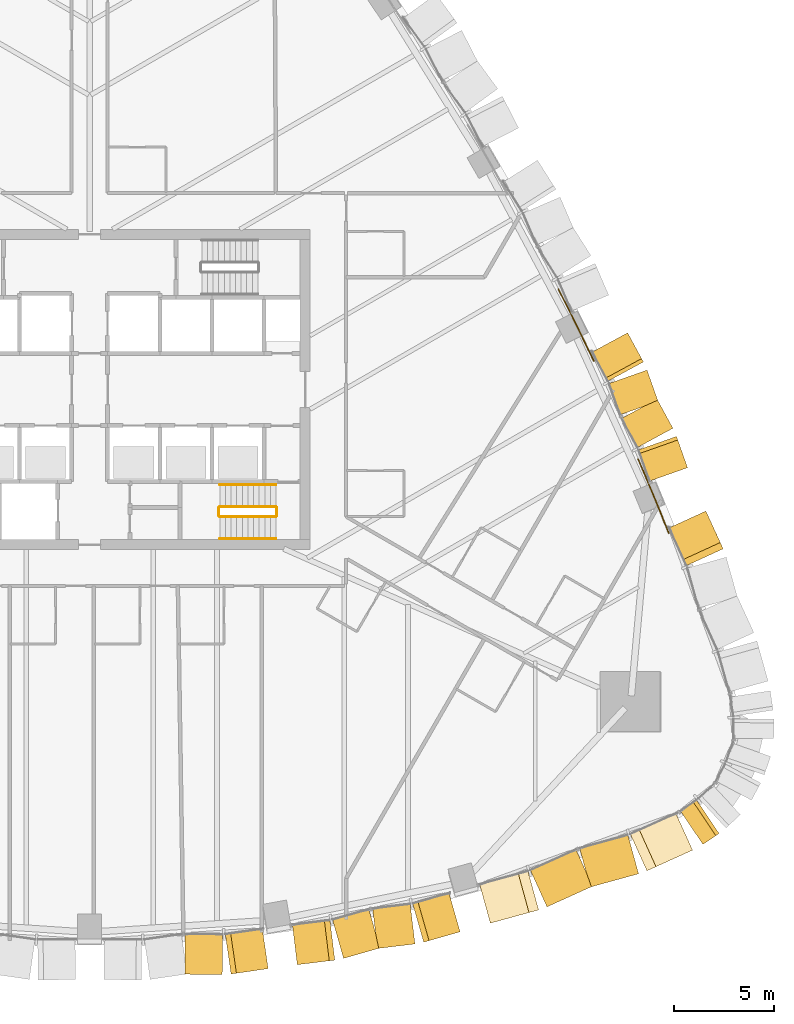
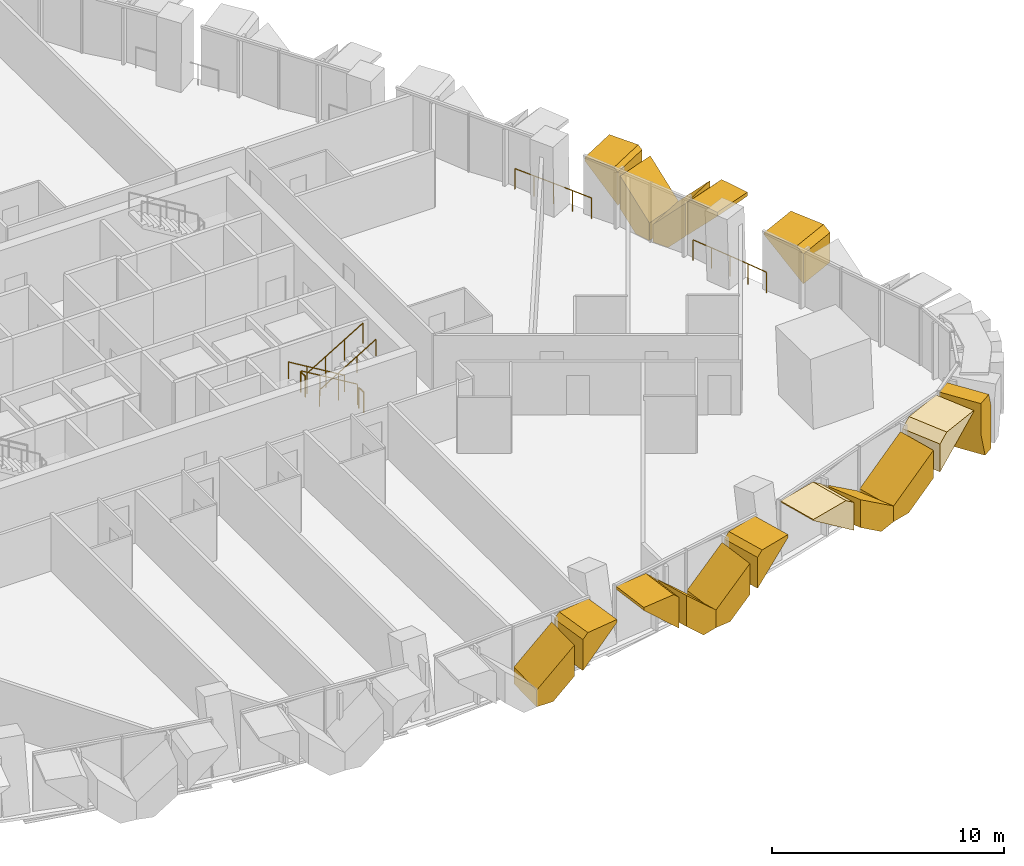
# One storey, part 21 of 24: 16 coverings, 8 railings.
"""IFC4 building model written with IfcOpenShell, lengths in metres."""

from ifc_helpers import new_model, si_unit, direction, frame, origin, origin_2d, place, context, subcontext, project, spatial, polyline, circle, outline, extrude, material, layer, layer_set, type_object, element, save


model = new_model("IFC4")

# Units and contexts
model_context = context("Model", 3, precision=1e-05, world=origin(), true_north=direction((0.0, 1.0)))
body_context = subcontext(model_context, "Body", "Model", "MODEL_VIEW")
ifc_project = project(units=[si_unit("LENGTHUNIT", "METRE"), si_unit("AREAUNIT", "SQUARE_METRE"), si_unit("VOLUMEUNIT", "CUBIC_METRE"), si_unit("PLANEANGLEUNIT", "RADIAN"), si_unit("MASSUNIT", "GRAM", prefix="KILO")], contexts=[model_context])

# Site, building, storey
site_placement = place(None, origin())
site = spatial("IfcSite", under=ifc_project, at=site_placement, CompositionType="ELEMENT")
building_placement = place(site_placement, origin())
building = spatial("IfcBuilding", under=site, at=building_placement, Name="Sierra Prisma Convention Tower", CompositionType="ELEMENT")
storey_placement = place(building_placement, frame((0.0, 0.0, 55.39990234375)))
storey = spatial("IfcBuildingStorey", under=building, at=storey_placement, Name="L09", CompositionType="ELEMENT", Elevation=55.39990234375)

# Coverings
ifc_material_1 = material(Name="Aluminium 6063-T6 bronze anodised", Category="aluminium")
ifc_layer = layer(ifc_material_1, 2.0)
ifc_layer_set = layer_set([ifc_layer], Name="Bronze crystal chevron frame")
covering_type = type_object("IfcCoveringType", Name="Bronze crystal chevron frame", PredefinedType="CLADDING", material=ifc_layer_set)
covering_1_placement = place(storey_placement, frame((5.5673828125, -29.203857421875, 0.0), z_axis=(-0.012404988383, -0.999923054974, 1.9879615e-05), x_axis=(0.733376989717, -0.009084718666, 0.679761472018)))
element("IfcCovering", 1, at=covering_1_placement, inside=storey, type_object=covering_type, Name="CW-2 chevron frame S4.2.1", PredefinedType="CLADDING", context=body_context, shape_type="SweptSolid", body=[
    extrude(outline(polyline([(0.0, 0.0), (1.4298012893135708, 1.1102230246251565e-16), (2.541881763920949, 1.1998867791384393), (-0.009341388718173582, 1.2000126891780478), (-0.6033028897806726, 0.5591538945897067), (0.0, 0.0)])), origin(), (0.0, 0.0, -1.0), 2.0),
])
covering_2_placement = place(storey_placement, frame((8.909912109375, -28.91796875, 2.97998046875), z_axis=(0.144055726127, -0.98956957648, -3.2797779e-05), x_axis=(-0.989569577012, -0.144055726204, 1.204e-09)))
element("IfcCovering", 2, at=covering_2_placement, inside=storey, type_object=covering_type, Name="CW-2 chevron frame S4.2.2", PredefinedType="CLADDING", context=body_context, shape_type="SweptSolid", body=[
    extrude(outline(polyline([(0.0, 0.0), (1.5994551204359855, 8.470329472543003e-22), (1.871077439586882, 0.2517089867622991), (1.8710774376179058, 1.8876953140073884), (-1.848210914273681e-10, 0.1535644530424058), (0.0, 0.0)])), origin(), (0.0, 0.0, -1.0), 2.0),
])
covering_3_placement = place(storey_placement, frame((10.362548828125, -28.720458984375, 2.97998046875), z_axis=(0.120360382957, -0.99273026447, 1.4822663e-05), x_axis=(1.784061e-06, -1.4714906e-05, -0.99999999989)))
element("IfcCovering", 3, at=covering_3_placement, inside=storey, type_object=covering_type, Name="CW-2 chevron frame S5.1.1", PredefinedType="CLADDING", context=body_context, shape_type="SweptSolid", body=[
    extrude(outline(polyline([(0.0, 0.0), (0.14990234373353237, 0.0), (1.885009765474029, 1.8884841841425966), (0.25537109377805395, 1.8884841841425966), (-3.909853119764671e-10, 1.6103427530620629), (0.0, 0.0)])), origin(), (0.0, 0.0, -1.0), 2.0),
])
covering_4_placement = place(storey_placement, frame((12.672119140625, -28.405517578125, 2.605224609375), z_axis=(0.274064471658, -0.9617113211, -1.5614631e-05), x_axis=(-4.279416e-06, 1.5016768e-05, -0.999999999878)))
element("IfcCovering", 4, at=covering_4_placement, inside=storey, type_object=covering_type, Name="CW-2 chevron frame S5.1.2", PredefinedType="CLADDING", context=body_context, shape_type="SweptSolid", body=[
    extrude(outline(polyline([(0.0, 0.0), (1.6296386716763334, 0.0), (2.6052246099047474, 1.0616605457970458), (2.605224609295265, 1.8884734371380254), (1.73510742190134, 1.8884734371380254), (0.0, 0.0)])), origin(), (0.0, 0.0, -1.0), 2.0),
])
covering_5_placement = place(storey_placement, frame((14.366455078125, -27.912353515625, 0.0), z_axis=(0.120205437435, -0.992749037986, 1.9731188e-05), x_axis=(0.992749038179, 0.120205437458, -1.177e-09)))
element("IfcCovering", 5, at=covering_5_placement, inside=storey, type_object=covering_type, Name="CW-2 chevron frame S5.2.1", PredefinedType="CLADDING", context=body_context, shape_type="SweptSolid", body=[
    extrude(outline(polyline([(0.0, 0.0), (0.8270357979594053, 0.0), (1.888697183923143, 0.975585939912409), (1.8886971820054854, 2.605224611470184), (-1.023899899624818e-09, 0.8701171873306232), (0.0, 0.0)])), origin(), (0.0, 0.0, -1.0), 2.0),
])
covering_6_placement = place(storey_placement, frame((18.492431640625, -27.079833984375, 2.97998046875), z_axis=(0.27416456094, -0.961682791125, -5.2708813e-05), x_axis=(-0.961682792461, -0.274164561321, 3.07e-09)))
element("IfcCovering", 6, at=covering_6_placement, inside=storey, type_object=covering_type, Name="CW-2 chevron frame S5.2.2", PredefinedType="CLADDING", context=body_context, shape_type="SweptSolid", body=[
    extrude(outline(polyline([(0.0, 0.0), (1.610566241895148, -3.3881317890172014e-21), (1.8887751482570978, 0.25537109990271084), (1.8887751432545965, 1.885009769513964), (-4.6015517623289265e-10, 0.1499023435417692), (0.0, 0.0)])), origin(), (0.0, 0.0, -1.0), 2.0),
])
covering_7_placement = place(storey_placement, frame((20.001708984375, -26.6474609375, 2.97998046875), z_axis=(0.264901413958, -0.964275498788, -5.7625678e-05), x_axis=(-1.5265124e-05, 5.556703e-05, -0.99999999834)))
element("IfcCovering", 7, at=covering_7_placement, inside=storey, type_object=covering_type, Name="CW-2 chevron frame S6.1.1", PredefinedType="CLADDING", context=body_context, shape_type="SweptSolid", body=[
    extrude(outline(polyline([(0.0, 0.0), (0.056152343656766926, -9.512577044359818e-23), (1.818115232518851, 2.501225612064564), (0.3500976568312879, 2.501225612064564), (-5.061339729300245e-09, 2.003939516718278), (0.0, 0.0)])), origin(), (0.0, 0.0, -1.0), 2.0),
])
covering_8_placement = place(storey_placement, frame((22.83056640625, -25.834228515625, 2.538330078125), z_axis=(0.412415776486, -0.910995733559, 2.7250835e-05), x_axis=(1.1238674e-05, -2.4825395e-05, -0.999999999629)))
element("IfcCovering", 8, at=covering_8_placement, inside=storey, type_object=covering_type, Name="CW-2 chevron frame S6.1.2", PredefinedType="CLADDING", context=body_context, shape_type="SweptSolid", body=[
    extrude(outline(polyline([(0.0, 0.0), (1.4680175775799191, -2.4869185116406777e-21), (2.538330079644029, 1.5192123286914059), (2.5383300779773306, 2.50116695331156), (1.7619628907655989, 2.50116695331156), (0.0, 0.0)])), origin(), (0.0, 0.0, -1.0), 2.0),
])
covering_9_placement = place(storey_placement, frame((24.992431640625, -24.844970703125, 0.0), z_axis=(0.264849888604, -0.964289653712, -1.5823245e-05), x_axis=(0.964289653833, 0.264849888637, -5.72e-10)))
element("IfcCovering", 9, at=covering_9_placement, inside=storey, type_object=covering_type, Name="CW-2 chevron frame S6.2.1", PredefinedType="CLADDING", context=body_context, shape_type="SweptSolid", body=[
    extrude(outline(polyline([(0.0, 0.0), (0.9815957322529651, 0.0), (2.5009255239069312, 1.0703125015657047), (2.5009255230665293, 2.538330079506927), (-4.4444999544605387e-10, 0.7763671874028086), (0.0, 0.0)])), origin(), (0.0, 0.0, -1.0), 2.0),
])
covering_10_placement = place(storey_placement, frame((30.099609375, -23.00048828125, 2.97998046875), z_axis=(0.412408318754, -0.910999109772, -2.4825765e-05), x_axis=(-0.910999110053, -0.412408318882, 4.69e-10)))
element("IfcCovering", 10, at=covering_10_placement, inside=storey, type_object=covering_type, Name="CW-2 chevron frame S6.2.2", PredefinedType="CLADDING", context=body_context, shape_type="SweptSolid", body=[
    extrude(outline(polyline([(0.0, 0.0), (2.0037945569531406, 0.0), (2.5011669533023952, 0.35009765753042715), (2.501166952614192, 1.8181152352030439), (-2.6324090181715888e-11, 0.05615234373269613), (0.0, 0.0)])), origin(), (0.0, 0.0, -1.0), 2.0),
])
covering_11_placement = place(storey_placement, frame((30.615966796875, -22.712646484375, 2.97998046875), z_axis=(0.5581065146, -0.829769316349, -2.615863e-06), x_axis=(-1.45993e-06, 2.170563e-06, -0.999999999997)))
element("IfcCovering", 11, at=covering_11_placement, inside=storey, type_object=covering_type, Name="CW-2 chevron frame SE1.1.1", PredefinedType="CLADDING", context=body_context, shape_type="SweptSolid", body=[
    extrude(outline(polyline([(0.0, 0.0), (1.588867187494564, -3.36455714155944e-22), (2.979980468734919, 0.41338782855787654), (2.979980468743379, 0.9741868687644561), (0.6540527343763372, 0.9741868687644561), (-3.939068063623955e-11, 0.779985930953073), (0.0, 0.0)])), origin(), (0.0, 0.0, -1.0), 2.0),
])
covering_12_placement = place(storey_placement, frame((30.765380859375, -6.06884765625, 2.97998046875), z_axis=(0.909217782755, 0.416320815504, 4.5834417e-05), x_axis=(0.416320815941, -0.90921778371, 2.043e-09)))
element("IfcCovering", 12, at=covering_12_placement, inside=storey, type_object=covering_type, Name="CW-2 chevron frame NE1.2.2", PredefinedType="CLADDING", context=body_context, shape_type="SweptSolid", body=[
    extrude(outline(polyline([(0.0, 0.0), (1.7289470397220899, 3.3881317890172014e-21), (2.075912688440464, 0.2915039107979345), (2.075912685237311, 1.859130862276304), (-2.3296563409935155e-10, 0.1140136717552404), (0.0, 0.0)])), origin(), (0.0, 0.0, -1.0), 2.0),
])
covering_13_placement = place(storey_placement, frame((29.850830078125, -3.905029296875, 2.97998046875), z_axis=(0.942842812855, 0.333237798046, 1.4171588e-05), x_axis=(1.336158e-05, 4.722509e-06, -0.9999999999)))
element("IfcCovering", 13, at=covering_13_placement, inside=storey, type_object=covering_type, Name="CW-2 chevron frame NE2.1.1", PredefinedType="CLADDING", context=body_context, shape_type="SweptSolid", body=[
    extrude(outline(polyline([(0.0, 0.0), (0.20703124997921057, 1.7536228986124187e-22), (1.9272460935961386, 1.6572211675133464), (0.19750976564483333, 1.6572211675133464), (-3.8896857999546833e-10, 1.4666513096442702), (0.0, 0.0)])), origin(), (0.0, 0.0, -1.0), 2.0),
])
covering_14_placement = place(storey_placement, frame((29.11865234375, -1.937255859375, 2.6474609375), z_axis=(0.879049256559, 0.476730955953, 1.3359922e-05), x_axis=(1.1744029e-05, 6.369088e-06, -0.999999999911)))
element("IfcCovering", 14, at=covering_14_placement, inside=storey, type_object=covering_type, Name="CW-2 chevron frame NE2.1.2", PredefinedType="CLADDING", context=body_context, shape_type="SweptSolid", body=[
    extrude(outline(polyline([(0.0, 0.0), (1.729736327970632, 1.4651436599845503e-21), (2.6474609379017715, 0.8839969272281782), (2.647460937427533, 1.6572237031151595), (1.720214843760284, 1.6572237031151595), (0.0, 0.0)])), origin(), (0.0, 0.0, -1.0), 2.0),
])
covering_15_placement = place(storey_placement, frame((28.379150390625, -0.59375, 0.0), z_axis=(0.942843526383, 0.333235779528, 8.16095e-07), x_axis=(-0.333235779528, 0.942843526383, -2e-12)))
element("IfcCovering", 15, at=covering_15_placement, inside=storey, type_object=covering_type, Name="CW-2 chevron frame NE2.2.1", PredefinedType="CLADDING", context=body_context, shape_type="SweptSolid", body=[
    extrude(outline(polyline([(0.0, 0.0), (0.7729374203260134, -5.293955920339377e-23), (1.65722116751344, 0.9177246093790998), (1.65722116750948, 2.6474609375035243), (-2.122854883659413e-12, 0.9272460937496914), (0.0, 0.0)])), origin(), (0.0, 0.0, -1.0), 2.0),
])
covering_16_placement = place(storey_placement, frame((26.857177734375, 2.830810546875, 2.97998046875), z_axis=(0.879115014348, 0.476609684618, 8.755627e-06), x_axis=(0.476609684636, -0.879115014382, 1.01e-10)))
element("IfcCovering", 16, at=covering_16_placement, inside=storey, type_object=covering_type, Name="CW-2 chevron frame NE2.2.2", PredefinedType="CLADDING", context=body_context, shape_type="SweptSolid", body=[
    extrude(outline(polyline([(0.0, 0.0), (1.4665868940581377, -1.6940658945086007e-21), (1.6571073292311047, 0.1975097658003331), (1.6571073290559895, 1.9272460938590312), (-2.09594603984736e-11, 0.20703124999206438), (0.0, 0.0)])), origin(), (0.0, 0.0, -1.0), 2.0),
])

# Railings
ifc_material_2 = material(Name="Stainless steel", Category="steel")
railing_type_1 = type_object("IfcRailingType", Name="Exit stair handrail", PredefinedType="HANDRAIL", material=ifc_material_2)
railing_1_placement = place(storey_placement, frame((9.300048828125, -4.75, 0.168212890625)))
element("IfcRailing", 17, at=railing_1_placement, inside=storey, type_object=railing_type_1, Name="L09 S2 stair handrail 1", PredefinedType="HANDRAIL", context=body_context, shape_type="SweptSolid", body=[
    extrude(circle(Radius=0.02392578125, at=origin_2d()), frame((0.0, 0.0, 0.8759765625), z_axis=(-0.857242210791, 0.0, 0.514913383045), x_axis=(0.0, -1.0, 0.0)), (0.0, 0.0, 1.0), 3.266357421875),
    extrude(circle(Radius=0.02099609375, at=origin_2d()), origin(), (0.0, 0.0, 1.0), 0.851806640625),
    extrude(circle(Radius=0.02099609375, at=origin_2d()), frame((-0.933349609375, 0.0, 0.560546875)), (0.0, 0.0, 1.0), 0.851806640625),
    extrude(circle(Radius=0.02099609375, at=origin_2d()), frame((-1.86669921875, 0.0, 1.121337890625)), (0.0, 0.0, 1.0), 0.851806640625),
    extrude(circle(Radius=0.02099609375, at=origin_2d()), frame((-2.800048828125, 0.0, 1.681884765625)), (0.0, 0.0, 1.0), 0.851806640625),
])
railing_2_placement = place(storey_placement, frame((6.5, -7.449951171875, 2.018310546875)))
element("IfcRailing", 18, at=railing_2_placement, inside=storey, type_object=railing_type_1, Name="L09 S2 stair handrail 2", PredefinedType="HANDRAIL", context=body_context, shape_type="SweptSolid", body=[
    extrude(circle(Radius=0.02392578125, at=origin_2d()), frame((0.0, 0.0, 0.8759765625), z_axis=(0.857242210791, 0.0, 0.514913383045), x_axis=(0.0, 1.0, 0.0)), (0.0, 0.0, 1.0), 3.266357421875),
    extrude(circle(Radius=0.02099609375, at=origin_2d()), origin(), (0.0, 0.0, 1.0), 0.851806640625),
    extrude(circle(Radius=0.02099609375, at=origin_2d()), frame((0.933349609375, 0.0, 0.560546875)), (0.0, 0.0, 1.0), 0.851806640625),
    extrude(circle(Radius=0.02099609375, at=origin_2d()), frame((1.86669921875, 0.0, 1.121337890625)), (0.0, 0.0, 1.0), 0.851806640625),
    extrude(circle(Radius=0.02099609375, at=origin_2d()), frame((2.800048828125, 0.0, 1.681884765625)), (0.0, 0.0, 1.0), 0.851806640625),
])
ifc_material_3 = material(Name="Bronze anodised aluminium", Category="aluminium")
railing_type_2 = type_object("IfcRailingType", Name="Facade guard 1100", PredefinedType="GUARDRAIL", material=ifc_material_3)
railing_3_placement = place(storey_placement, frame((28.9091796875, -7.172119140625, 0.0)))
element("IfcRailing", 19, at=railing_3_placement, inside=storey, type_object=railing_type_2, Name="Facade guard", PredefinedType="GUARDRAIL", context=body_context, shape_type="SweptSolid", body=[
    extrude(circle(Radius=0.02392578125, at=origin_2d()), frame((0.0, 0.0, 1.076171875), z_axis=(-0.370843409258, 0.928695410676, 0.0), x_axis=(-0.928695410676, -0.370843409258, 0.0)), (0.0, 0.0, 1.0), 1.0),
    extrude(circle(Radius=0.02392578125, at=origin_2d()), frame((-0.370849609375, 0.9287109375, 1.076171875), z_axis=(-0.379885084701, 0.925033687182, 0.0), x_axis=(-0.925033687182, -0.379885084701, 0.0)), (0.0, 0.0, 1.0), 0.994140625),
    extrude(circle(Radius=0.02392578125, at=origin_2d()), frame((-0.74853515625, 1.848388671875, 1.076171875), z_axis=(-0.383731234591, 0.923444822174, 0.0), x_axis=(-0.923444822174, -0.383731234591, 0.0)), (0.0, 0.0, 1.0), 1.000244140625),
    extrude(circle(Radius=0.02392578125, at=origin_2d()), frame((-1.13232421875, 2.77197265625, 1.076171875), z_axis=(-0.393089424679, 0.919500246985, 0.0), x_axis=(-0.919500246985, -0.393089424679, 0.0)), (0.0, 0.0, 1.0), 0.994384765625),
    extrude(circle(Radius=0.02099609375, at=origin_2d()), origin(), (0.0, 0.0, 1.0), 1.052001953125),
    extrude(circle(Radius=0.02099609375, at=origin_2d()), frame((-0.370849609375, 0.9287109375, 0.0)), (0.0, 0.0, 1.0), 1.052001953125),
    extrude(circle(Radius=0.02099609375, at=origin_2d()), frame((-0.74853515625, 1.848388671875, 0.0)), (0.0, 0.0, 1.0), 1.052001953125),
    extrude(circle(Radius=0.02099609375, at=origin_2d()), frame((-1.13232421875, 2.77197265625, 0.0)), (0.0, 0.0, 1.0), 1.052001953125),
    extrude(circle(Radius=0.02099609375, at=origin_2d()), frame((-1.523193359375, 3.686279296875, 0.0)), (0.0, 0.0, 1.0), 1.052001953125),
])
railing_4_placement = place(storey_placement, frame((25.169189453125, 1.42138671875, 0.0)))
element("IfcRailing", 20, at=railing_4_placement, inside=storey, type_object=railing_type_2, Name="Facade guard", PredefinedType="GUARDRAIL", context=body_context, shape_type="SweptSolid", body=[
    extrude(circle(Radius=0.02392578125, at=origin_2d()), frame((0.0, 0.0, 1.076171875), z_axis=(-0.43457154287, 0.900637315532, 0.0), x_axis=(-0.900637315532, -0.43457154287, 0.0)), (0.0, 0.0, 1.0), 1.0),
    extrude(circle(Radius=0.02392578125, at=origin_2d()), frame((-0.4345703125, 0.900634765625, 1.076171875), z_axis=(-0.436574705312, 0.899668009147, 0.0), x_axis=(-0.899668009147, -0.436574705312, 0.0)), (0.0, 0.0, 1.0), 0.994384765625),
    extrude(circle(Radius=0.02392578125, at=origin_2d()), frame((-0.86865234375, 1.795166015625, 1.076171875), z_axis=(-0.44701827374, 0.894524825224, 0.0), x_axis=(-0.894524825224, -0.44701827374, 0.0)), (0.0, 0.0, 1.0), 1.0),
    extrude(circle(Radius=0.02392578125, at=origin_2d()), frame((-1.315673828125, 2.689697265625, 1.076171875), z_axis=(-0.449470569267, 0.893295140121, 0.0), x_axis=(-0.893295140121, -0.449470569267, 0.0)), (0.0, 0.0, 1.0), 0.99462890625),
    extrude(circle(Radius=0.02099609375, at=origin_2d()), origin(), (0.0, 0.0, 1.0), 1.052001953125),
    extrude(circle(Radius=0.02099609375, at=origin_2d()), frame((-0.4345703125, 0.900634765625, 0.0)), (0.0, 0.0, 1.0), 1.052001953125),
    extrude(circle(Radius=0.02099609375, at=origin_2d()), frame((-0.86865234375, 1.795166015625, 0.0)), (0.0, 0.0, 1.0), 1.052001953125),
    extrude(circle(Radius=0.02099609375, at=origin_2d()), frame((-1.315673828125, 2.689697265625, 0.0)), (0.0, 0.0, 1.0), 1.052001953125),
    extrude(circle(Radius=0.02099609375, at=origin_2d()), frame((-1.7626953125, 3.578125, 0.0)), (0.0, 0.0, 1.0), 1.052001953125),
])
ifc_material_4 = material(Name="Stainless steel", Category="steel")
railing_type_3 = type_object("IfcRailingType", Name="Stair guard 1100", PredefinedType="GUARDRAIL", material=ifc_material_4)
railing_5_placement = place(storey_placement, frame((9.300048828125, -5.85009765625, 0.168212890625)))
element("IfcRailing", 21, at=railing_5_placement, inside=storey, type_object=railing_type_3, Name="L09 S2 stair guard 1", PredefinedType="GUARDRAIL", context=body_context, shape_type="SweptSolid", body=[
    extrude(circle(Radius=0.02392578125, at=origin_2d()), frame((0.0, 0.0, 1.076171875), z_axis=(-0.857242210791, 0.0, 0.514913383045), x_axis=(0.0, -1.0, 0.0)), (0.0, 0.0, 1.0), 3.266357421875),
    extrude(circle(Radius=0.02099609375, at=origin_2d()), origin(), (0.0, 0.0, 1.0), 1.052001953125),
    extrude(circle(Radius=0.02099609375, at=origin_2d()), frame((-0.933349609375, 0.0, 0.560546875)), (0.0, 0.0, 1.0), 1.052001953125),
    extrude(circle(Radius=0.02099609375, at=origin_2d()), frame((-1.86669921875, 0.0, 1.121337890625)), (0.0, 0.0, 1.0), 1.052001953125),
    extrude(circle(Radius=0.02099609375, at=origin_2d()), frame((-2.800048828125, 0.0, 1.681884765625)), (0.0, 0.0, 1.0), 1.052001953125),
])
railing_6_placement = place(storey_placement, frame((6.449951171875, -5.89990234375, 1.85009765625)))
element("IfcRailing", 22, at=railing_6_placement, inside=storey, type_object=railing_type_3, Name="L09 S2 stair guard 2", PredefinedType="GUARDRAIL", context=body_context, shape_type="SweptSolid", body=[
    extrude(circle(Radius=0.02392578125, at=origin_2d()), frame((0.0, 0.0, 1.076171875), z_axis=(0.0, -1.0, 0.0), x_axis=(1.0, 0.0, 0.0)), (0.0, 0.0, 1.0), 0.400146484375),
    extrude(circle(Radius=0.02099609375, at=origin_2d()), origin(), (0.0, 0.0, 1.0), 1.052001953125),
    extrude(circle(Radius=0.02099609375, at=origin_2d()), frame((0.0, -0.400146484375, 0.0)), (0.0, 0.0, 1.0), 1.052001953125),
])
railing_7_placement = place(storey_placement, frame((6.5, -6.35009765625, 2.018310546875)))
element("IfcRailing", 23, at=railing_7_placement, inside=storey, type_object=railing_type_3, Name="L09 S2 stair guard 3", PredefinedType="GUARDRAIL", context=body_context, shape_type="SweptSolid", body=[
    extrude(circle(Radius=0.02392578125, at=origin_2d()), frame((0.0, 0.0, 1.076171875), z_axis=(0.857242210791, 0.0, 0.514913383045), x_axis=(0.0, 1.0, 0.0)), (0.0, 0.0, 1.0), 3.266357421875),
    extrude(circle(Radius=0.02099609375, at=origin_2d()), origin(), (0.0, 0.0, 1.0), 1.052001953125),
    extrude(circle(Radius=0.02099609375, at=origin_2d()), frame((0.933349609375, 0.0, 0.560546875)), (0.0, 0.0, 1.0), 1.052001953125),
    extrude(circle(Radius=0.02099609375, at=origin_2d()), frame((1.86669921875, 0.0, 1.121337890625)), (0.0, 0.0, 1.0), 1.052001953125),
    extrude(circle(Radius=0.02099609375, at=origin_2d()), frame((2.800048828125, 0.0, 1.681884765625)), (0.0, 0.0, 1.0), 1.052001953125),
])
railing_8_placement = place(storey_placement, frame((9.35009765625, -5.89990234375, 0.0)))
element("IfcRailing", 24, at=railing_8_placement, inside=storey, type_object=railing_type_3, Name="L09 S2 stair guard 4", PredefinedType="GUARDRAIL", context=body_context, shape_type="SweptSolid", body=[
    extrude(circle(Radius=0.02392578125, at=origin_2d()), frame((0.0, 0.0, 1.076171875), z_axis=(0.0, -1.0, 0.0), x_axis=(1.0, 0.0, 0.0)), (0.0, 0.0, 1.0), 0.400146484375),
    extrude(circle(Radius=0.02099609375, at=origin_2d()), origin(), (0.0, 0.0, 1.0), 1.052001953125),
    extrude(circle(Radius=0.02099609375, at=origin_2d()), frame((0.0, -0.400146484375, 0.0)), (0.0, 0.0, 1.0), 1.052001953125),
])

save(model, "model.ifc")
